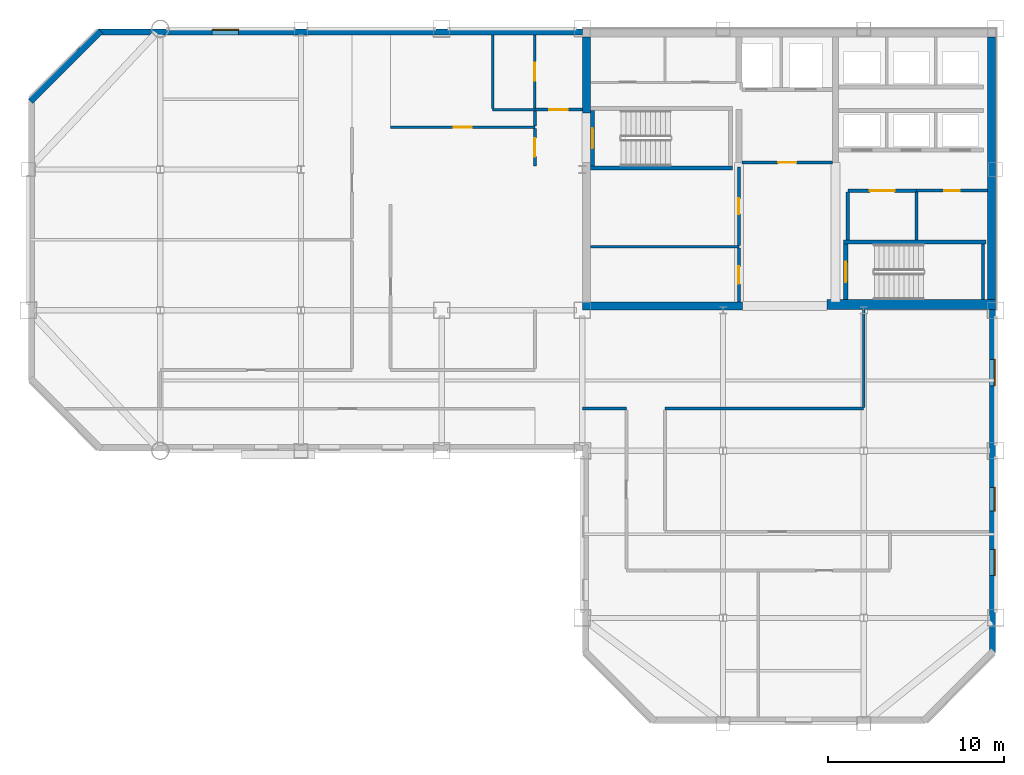
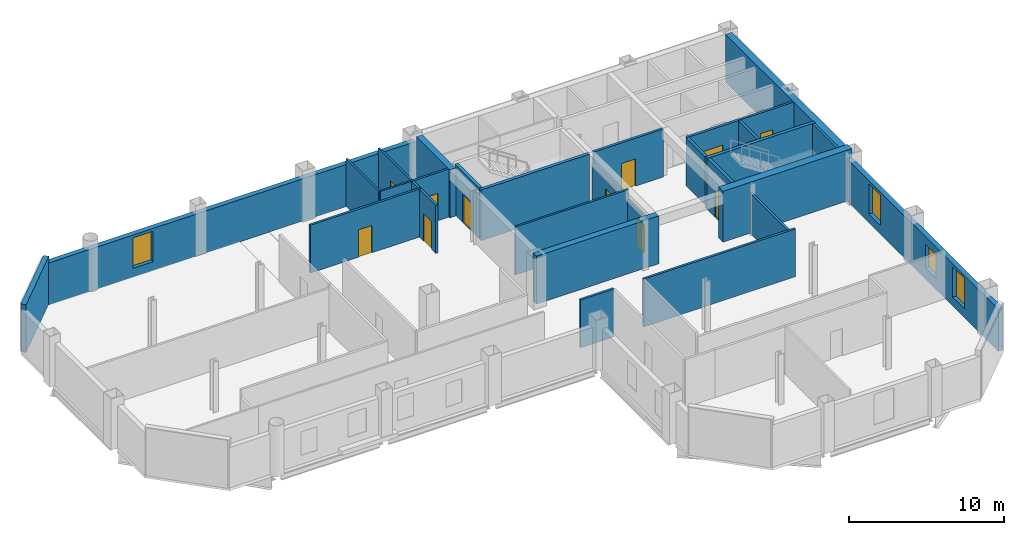
# One storey, part 5 of 10: 30 walls, 11 doors, 4 windows, 15 openings.
"""IFC4 building model written with IfcOpenShell, lengths in metres."""

import ifcopenshell
import ifcopenshell.guid

model = None  # the IFC model being written
_history = None  # IfcOwnerHistory: only IFC2X3 demands one
_inside = {}  # id of a spatial element -> (the spatial element, [elements in it])
_under = {}  # id of a project, library or spatial element -> (it, [spatial elements below it])
_declared = {}  # id of a project -> (the project, [libraries it declares])
_typed = {}  # id of a type object -> (the type object, [elements of that type])
_made_of = {}  # id of a material, layer set ... -> (it, [elements and type objects made of it])


def new_model(schema):
    """Start an empty IFC model of exactly this schema.

    Asked for "IFC4X3", IfcOpenShell would pick the latest addendum, in which some entities
    have other attributes; the version numbers below select the first issue.
    IFC2X3 requires an IfcOwnerHistory on every rooted entity: one is made here for all.
    """
    global model, _history
    if schema == "IFC4X3":
        model = ifcopenshell.file(schema_version=(4, 3, 0, 0))
    else:
        model = ifcopenshell.file(schema=schema)
    _inside.clear()
    _under.clear()
    _declared.clear()
    _typed.clear()
    _made_of.clear()
    _history = None
    if model.schema == "IFC2X3":
        org = make("IfcOrganization", Name="unknown")
        user = make(
            "IfcPersonAndOrganization",
            ThePerson=make("IfcPerson", FamilyName="unknown"),
            TheOrganization=org,
        )
        app = make(
            "IfcApplication",
            ApplicationDeveloper=org,
            Version="unknown",
            ApplicationFullName="unknown",
            ApplicationIdentifier="unknown",
        )
        _history = make(
            "IfcOwnerHistory",
            OwningUser=user,
            OwningApplication=app,
            ChangeAction="ADDED",
            CreationDate=0,
        )
    return model


def make(cls, **values):
    """One entity of the class cls with the attributes given. An attribute that is None is left unset."""
    return model.create_entity(
        cls, **{name: value for name, value in values.items() if value is not None}
    )


def rooted(cls, **values):
    """An entity with a GlobalId (a new one), such as an element, a storey or a relation."""
    return make(cls, GlobalId=ifcopenshell.guid.new(), OwnerHistory=_history, **values)


def si_unit(unit_type, name, prefix=None):
    """IfcSIUnit, for example si_unit("LENGTHUNIT", "METRE", prefix="MILLI")."""
    return make("IfcSIUnit", UnitType=unit_type, Prefix=prefix, Name=name)


def assignment(units):
    """IfcUnitAssignment: the units of a project."""
    return None if units is None else make("IfcUnitAssignment", Units=units)


def point(xyz):
    """IfcCartesianPoint."""
    return None if xyz is None else make("IfcCartesianPoint", Coordinates=xyz)


def direction(xyz):
    """IfcDirection."""
    return None if xyz is None else make("IfcDirection", DirectionRatios=xyz)


def frame(location, z_axis=None, x_axis=None):
    """IfcAxis2Placement3D, a coordinate frame: its origin and axes. An axis left out is left unset."""
    return make(
        "IfcAxis2Placement3D",
        Location=point(location),
        Axis=direction(z_axis),
        RefDirection=direction(x_axis),
    )


def frame_2d(location, x_axis=None):
    """IfcAxis2Placement2D, a coordinate frame in the plane: its origin and x axis."""
    return make(
        "IfcAxis2Placement2D", Location=point(location), RefDirection=direction(x_axis)
    )


def origin():
    """The frame at (0, 0, 0) with its axes left unset."""
    return frame((0.0, 0.0, 0.0))


def place(relative_to, where):
    """IfcLocalPlacement: puts the frame where relative to a parent placement (None: the world)."""
    return make(
        "IfcLocalPlacement", PlacementRelTo=relative_to, RelativePlacement=where
    )


def context(
    kind, dimensions, precision=None, world=None, true_north=None, identifier=None
):
    """IfcGeometricRepresentationContext, for example the 3D "Model" context."""
    return make(
        "IfcGeometricRepresentationContext",
        ContextIdentifier=identifier,
        ContextType=kind,
        CoordinateSpaceDimension=dimensions,
        Precision=precision,
        WorldCoordinateSystem=world,
        TrueNorth=true_north,
    )


def subcontext(parent, identifier, kind, view, scale=None):
    """IfcGeometricRepresentationSubContext, for example "Body" below "Model"."""
    return make(
        "IfcGeometricRepresentationSubContext",
        ContextIdentifier=identifier,
        ContextType=kind,
        ParentContext=parent,
        TargetScale=scale,
        TargetView=view,
    )


def project(units=None, contexts=None):
    """IfcProject with its units and contexts."""
    return rooted(
        "IfcProject",
        Name="project",
        RepresentationContexts=contexts,
        UnitsInContext=assignment(units),
    )


def spatial(cls, under=None, at=None, **own):
    """A site, building, storey or space (cls), placed at a placement, below another one or the project."""
    s = rooted(cls, ObjectPlacement=at, **own)
    if under is not None:
        _under.setdefault(under.id(), (under, []))[1].append(s)
    return s


def profile(cls, at=None, kind="AREA", **sizes):
    """A parametric profile (cls). Its sizes go by their IFC names, for example OverallWidth=200.0."""
    return make(cls, ProfileType=kind, Position=at, **sizes)


def rectangle(**sizes):
    """IfcRectangleProfileDef."""
    return profile("IfcRectangleProfileDef", **sizes)


def extrude(swept, where, along, depth):
    """IfcExtrudedAreaSolid: the profile swept, set in the frame where, extruded along a direction by depth."""
    return make(
        "IfcExtrudedAreaSolid",
        SweptArea=swept,
        Position=where,
        ExtrudedDirection=direction(along),
        Depth=depth,
    )


def shape(context_of_items, identifier, shape_type, items):
    """IfcShapeRepresentation: the items that make up one representation, for example the "Body"."""
    return make(
        "IfcShapeRepresentation",
        ContextOfItems=context_of_items,
        RepresentationIdentifier=identifier,
        RepresentationType=shape_type,
        Items=items,
    )


def material(Name=None, Category=None):
    """IfcMaterial."""
    return make("IfcMaterial", Name=Name, Category=Category)


def layer(
    of_material, thickness, ventilated=None, Name=None, Category=None, Priority=None
):
    """IfcMaterialLayer: one layer of a wall or slab, of a material (None: an air gap)."""
    return make(
        "IfcMaterialLayer",
        Material=of_material,
        LayerThickness=thickness,
        IsVentilated=ventilated,
        Name=Name,
        Category=Category,
        Priority=Priority,
    )


def layer_set(layers, Name=None):
    """IfcMaterialLayerSet."""
    return make("IfcMaterialLayerSet", MaterialLayers=layers, LayerSetName=Name)


def made_of(thing, what):
    """Note that an element or type object is made of a material, layer set ...; save() writes the relation."""
    if what is not None:
        _made_of.setdefault(what.id(), (what, []))[1].append(thing)
    return thing


def type_object(cls, material=None, **own):
    """A type object (cls), such as IfcWallType, which elements share."""
    return made_of(rooted(cls, **own), material)


def element(
    cls,
    number,
    at=None,
    inside=None,
    cuts=None,
    type_object=None,
    material=None,
    context=None,
    identifier="Body",
    shape_type=None,
    held_by="IfcProductDefinitionShape",
    body=None,
    shapes=None,
    **own,
):
    """One element of the class cls, such as IfcWall. Its Tag is "e" and its number.

    at: its placement. inside: the storey or other place that contains it. cuts: it is an
    opening in that element (IfcRelVoidsElement). A single representation is given by context,
    identifier, shape_type and body (its items); several are given by shapes. held_by: the class
    of the entity that holds the representations. save() writes the other relations.
    """
    e = rooted(cls, Tag="e%d" % number, ObjectPlacement=at, **own)
    if body is not None:
        shapes = [shape(context, identifier, shape_type, body)]
    if shapes is not None:
        e.Representation = make(held_by, Representations=shapes)
    if inside is not None:
        _inside.setdefault(inside.id(), (inside, []))[1].append(e)
    if cuts is not None:
        rooted(
            "IfcRelVoidsElement", RelatingBuildingElement=cuts, RelatedOpeningElement=e
        )
    if type_object is not None:
        _typed.setdefault(type_object.id(), (type_object, []))[1].append(e)
    return made_of(e, material)


def fill(opening, filler):
    """IfcRelFillsElement: the door or window that sits in an opening."""
    return rooted(
        "IfcRelFillsElement",
        RelatingOpeningElement=opening,
        RelatedBuildingElement=filler,
    )


def aggregate(whole, parts):
    """IfcRelAggregates: a whole, such as a stair, and the parts it consists of."""
    return rooted("IfcRelAggregates", RelatingObject=whole, RelatedObjects=parts)


def save(model, path):
    """Write the relations noted so far, then the file.

    IfcRelAggregates (storeys below a building ...), IfcRelContainedInSpatialStructure (elements
    in a storey), IfcRelDefinesByType, IfcRelAssociatesMaterial and IfcRelDeclares: one each for
    every whole, place, type object, material and project.
    """
    for whole, parts in _under.values():
        aggregate(whole, parts)
    for where, things in _inside.values():
        rooted(
            "IfcRelContainedInSpatialStructure",
            RelatedElements=things,
            RelatingStructure=where,
        )
    for kind, things in _typed.values():
        rooted("IfcRelDefinesByType", RelatedObjects=things, RelatingType=kind)
    for what, things in _made_of.values():
        rooted("IfcRelAssociatesMaterial", RelatedObjects=things, RelatingMaterial=what)
    for by, libraries in _declared.values():
        rooted("IfcRelDeclares", RelatingContext=by, RelatedDefinitions=libraries)
    model.write(path)


model = new_model("IFC4")

# Units and contexts
model_context = context("Model", 3, precision=1e-05, world=origin(), true_north=direction((0.0, 1.0)))
body_context = subcontext(model_context, "Body", "Model", "MODEL_VIEW")
ifc_project = project(units=[si_unit("LENGTHUNIT", "METRE"), si_unit("AREAUNIT", "SQUARE_METRE"), si_unit("VOLUMEUNIT", "CUBIC_METRE"), si_unit("PLANEANGLEUNIT", "RADIAN"), si_unit("MASSUNIT", "GRAM", prefix="KILO")], contexts=[model_context])

# Site, building, storey
site_placement = place(None, origin())
site = spatial("IfcSite", under=ifc_project, at=site_placement, CompositionType="ELEMENT")
building_placement = place(site_placement, origin())
building = spatial("IfcBuilding", under=site, at=building_placement, Name="Qianrong Seaharbour Tower", CompositionType="ELEMENT")
storey_placement = place(building_placement, frame((0.0, 0.0, 233.800048828125)))
storey = spatial("IfcBuildingStorey", under=building, at=storey_placement, Name="L56", CompositionType="ELEMENT", Elevation=233.800048828125)

# Walls
ifc_material_1 = material(Name="Concrete C60/75", Category="concrete")
ifc_layer_1 = layer(ifc_material_1, 0.4599609375)
ifc_layer_set_1 = layer_set([ifc_layer_1], Name="Concrete C60/75")
wall_type_1 = type_object("IfcWallType", Name="WALL-CORE-460", PredefinedType="SHEAR", material=ifc_layer_set_1)
wall_1_placement = place(storey_placement, frame((63.77001953125, 36.320068359375, 0.0), z_axis=(0.0, 0.0, 1.0), x_axis=(0.0, 1.0, 0.0)))
element("IfcWall", 1, at=wall_1_placement, inside=storey, type_object=wall_type_1, Name="L56 East Core Shear Wall", PredefinedType="SHEAR", context=body_context, shape_type="SweptSolid", body=[
    extrude(rectangle(XDim=15.219970703125, YDim=0.4599609375, at=frame_2d((7.60986328125, 0.0))), origin(), (0.0, 0.0, 1.0), 3.77490234375),
])
wall_2_placement = place(storey_placement, frame((40.72998046875, 47.199951171875, 0.0), z_axis=(0.0, 0.0, 1.0), x_axis=(0.0, 1.0, 0.0)))
element("IfcWall", 2, at=wall_2_placement, inside=storey, type_object=wall_type_1, Name="L56 West Core Shear Wall North", PredefinedType="SHEAR", context=body_context, shape_type="SweptSolid", body=[
    extrude(rectangle(XDim=4.340087890625, YDim=0.4599609375, at=frame_2d((2.169921875, 0.0))), origin(), (0.0, 0.0, 1.0), 3.77490234375),
])
wall_3_placement = place(storey_placement, frame((40.5, 36.22998046875, 0.0), z_axis=(0.0, 0.0, 1.0), x_axis=(1.0, 0.0, 0.0)))
element("IfcWall", 3, at=wall_3_placement, inside=storey, type_object=wall_type_1, Name="L56 South Core Shear Wall S1", PredefinedType="SHEAR", context=body_context, shape_type="SweptSolid", body=[
    extrude(rectangle(XDim=9.10009765625, YDim=0.4599609375, at=frame_2d((4.550048828125, 0.0))), origin(), (0.0, 0.0, 1.0), 3.77490234375),
])
ifc_material_2 = material(Name="Concrete C70/85", Category="concrete")
ifc_layer_2 = layer(ifc_material_2, 0.580078125)
ifc_layer_set_2 = layer_set([ifc_layer_2], Name="Concrete C70/85")
wall_type_2 = type_object("IfcWallType", Name="WALL-CORE-580", PredefinedType="SHEAR", material=ifc_layer_set_2)
wall_4_placement = place(storey_placement, frame((54.39990234375, 36.320068359375, 0.0), z_axis=(0.0, 0.0, 1.0), x_axis=(1.0, 0.0, 0.0)))
element("IfcWall", 4, at=wall_4_placement, inside=storey, type_object=wall_type_2, Name="L56 South Core Shear Wall S3", PredefinedType="SHEAR", context=body_context, shape_type="SweptSolid", body=[
    extrude(rectangle(XDim=9.60009765625, YDim=0.580078125, at=frame_2d((4.800048828125, 0.0))), origin(), (0.0, 0.0, 1.0), 4.0),
])

# Wall, opening, door
ifc_material_3 = material(Name="Fire-rated acoustic gypsum board partition")
ifc_layer_3 = layer(ifc_material_3, 0.1650390625)
ifc_layer_set_3 = layer_set([ifc_layer_3], Name="Fire-rated acoustic gypsum board partition")
wall_type_3 = type_object("IfcWallType", Name="WALL-CORR-PART-165", PredefinedType="PARTITIONING", material=ifc_layer_set_3)
wall_5_placement = place(storey_placement, frame((37.800048828125, 47.39990234375, 0.0), z_axis=(0.0, 0.0, 1.0), x_axis=(1.0, 0.0, 0.0)))
wall_5 = element("IfcWall", 5, at=wall_5_placement, inside=storey, type_object=wall_type_3, Name="L56 Interior Partition Wall 001", PredefinedType="PARTITIONING", context=body_context, shape_type="SweptSolid", body=[
    extrude(rectangle(XDim=2.699951171875, YDim=0.1650390625, at=frame_2d((1.35009765625, 0.0))), origin(), (0.0, 0.0, 1.0), 3.77490234375),
])
opening_1_placement = place(wall_5_placement, frame((0.824951171875, 0.0, 0.0)))
opening_1 = element("IfcOpeningElement", 6, at=opening_1_placement, cuts=wall_5, Name="Opening DC-01", PredefinedType="OPENING", context=body_context, shape_type="SweptSolid", body=[
    extrude(rectangle(XDim=1.050048828125, YDim=2.14990234375, at=frame_2d((0.52490234375, 1.074951171875))), frame((0.0, 0.092529296875, 0.0), z_axis=(0.0, -1.0, 0.0), x_axis=(1.0, 0.0, 0.0)), (0.0, 0.0, 1.0), 0.18505859375),
])
ifc_material_4 = material(Name="Acoustic timber and galvanized steel fire door assembly", Category="steel")
door_type_1 = type_object("IfcDoorType", Name="DOOR-CORR-FD60-1050x2150", OperationType="NOTDEFINED", PredefinedType="DOOR", material=ifc_material_4)
door_1_placement = place(opening_1_placement, origin())
door_1 = element("IfcDoor", 7, at=door_1_placement, inside=storey, type_object=door_type_1, Name="L56 Smokeproof Stair Vestibule ST-1 Door", OperationType="SINGLE_SWING_RIGHT", OverallHeight=2.14990234375, OverallWidth=1.050048828125, PredefinedType="DOOR", context=body_context, shape_type="SweptSolid", body=[
    extrude(rectangle(XDim=1.050048828125, YDim=2.14990234375, at=frame_2d((0.52490234375, 1.074951171875))), frame((0.0, 0.02490234375, 0.0), z_axis=(0.0, -1.0, 0.0), x_axis=(1.0, 0.0, 0.0)), (0.0, 0.0, 1.0), 0.050048828125),
])
fill(opening_1, door_1)

wall_6_placement = place(storey_placement, frame((37.800048828125, 44.199951171875, 0.0), z_axis=(0.0, 0.0, 1.0), x_axis=(0.0, 1.0, 0.0)))
wall_6 = element("IfcWall", 8, at=wall_6_placement, inside=storey, type_object=wall_type_3, Name="L56 Interior Partition Wall 002", PredefinedType="PARTITIONING", context=body_context, shape_type="SweptSolid", body=[
    extrude(rectangle(XDim=2.12548828125, YDim=0.1650390625, at=frame_2d((1.062744140625, 0.0))), origin(), (0.0, 0.0, 1.0), 3.77490234375),
])
opening_2_placement = place(wall_6_placement, frame((0.537841796875, 0.0, 0.0)))
opening_2 = element("IfcOpeningElement", 9, at=opening_2_placement, cuts=wall_6, Name="Opening DC-01", PredefinedType="OPENING", context=body_context, shape_type="SweptSolid", body=[
    extrude(rectangle(XDim=1.050048828125, YDim=2.14990234375, at=frame_2d((0.52490234375, 1.074951171875))), frame((0.0, 0.092529296875, 0.0), z_axis=(0.0, -1.0, 0.0), x_axis=(1.0, 0.0, 0.0)), (0.0, 0.0, 1.0), 0.18505859375),
])
door_2_placement = place(opening_2_placement, origin())
door_2 = element("IfcDoor", 10, at=door_2_placement, inside=storey, type_object=door_type_1, Name="L56 Smokeproof Stair Vestibule ST-1 Door", OperationType="SINGLE_SWING_LEFT", OverallHeight=2.14990234375, OverallWidth=1.050048828125, PredefinedType="DOOR", context=body_context, shape_type="SweptSolid", body=[
    extrude(rectangle(XDim=1.050048828125, YDim=2.14990234375, at=frame_2d((0.52490234375, 1.074951171875))), frame((0.0, 0.02490234375, 0.0), z_axis=(0.0, -1.0, 0.0), x_axis=(1.0, 0.0, 0.0)), (0.0, 0.0, 1.0), 0.050048828125),
])
fill(opening_2, door_2)

# Wall
wall_7_placement = place(storey_placement, frame((37.800048828125, 46.474609375, 0.0), z_axis=(0.0, 0.0, 1.0), x_axis=(0.0, 1.0, 0.0)))
element("IfcWall", 11, at=wall_7_placement, inside=storey, type_object=wall_type_3, Name="L56 Interior Partition Wall 003", PredefinedType="PARTITIONING", context=body_context, shape_type="SweptSolid", body=[
    extrude(rectangle(XDim=0.850830078125, YDim=0.1650390625, at=frame_2d((0.42529296875, 0.0))), origin(), (0.0, 0.0, 1.0), 3.77490234375),
])

# Wall, opening, door
wall_8_placement = place(storey_placement, frame((49.39990234375, 36.4599609375, 0.0), z_axis=(0.0, 0.0, 1.0), x_axis=(0.0, 1.0, 0.0)))
wall_8 = element("IfcWall", 12, at=wall_8_placement, inside=storey, type_object=wall_type_3, Name="L56 Interior Partition Wall 010", PredefinedType="PARTITIONING", context=body_context, shape_type="SweptSolid", body=[
    extrude(rectangle(XDim=3.075439453125, YDim=0.1650390625, at=frame_2d((1.53759765625, 0.0))), origin(), (0.0, 0.0, 1.0), 3.016845703125),
])
opening_3_placement = place(wall_8_placement, frame((1.03759765625, 0.0, 0.0)))
opening_3 = element("IfcOpeningElement", 13, at=opening_3_placement, cuts=wall_8, Name="Opening DO-01", PredefinedType="OPENING", context=body_context, shape_type="SweptSolid", body=[
    extrude(rectangle(XDim=1.0, YDim=2.14990234375, at=frame_2d((0.5, 1.074951171875))), frame((0.0, 0.092529296875, 0.0), z_axis=(0.0, -1.0, 0.0), x_axis=(1.0, 0.0, 0.0)), (0.0, 0.0, 1.0), 0.18505859375),
])
door_type_2 = type_object("IfcDoorType", Name="DOOR-OFFICE-1000x2150", OperationType="NOTDEFINED", PredefinedType="DOOR", material=ifc_material_4)
door_3_placement = place(opening_3_placement, origin())
door_3 = element("IfcDoor", 14, at=door_3_placement, inside=storey, type_object=door_type_2, Name="L56 Wellness Room Door", OperationType="SINGLE_SWING_RIGHT", OverallHeight=2.14990234375, OverallWidth=1.0, PredefinedType="DOOR", context=body_context, shape_type="SweptSolid", body=[
    extrude(rectangle(XDim=1.0, YDim=2.14990234375, at=frame_2d((0.5, 1.074951171875))), frame((0.0, 0.02490234375, 0.0), z_axis=(0.0, -1.0, 0.0), x_axis=(1.0, 0.0, 0.0)), (0.0, 0.0, 1.0), 0.050048828125),
])
fill(opening_3, door_3)

wall_9_placement = place(storey_placement, frame((49.39990234375, 39.66455078125, 0.0), z_axis=(0.0, 0.0, 1.0), x_axis=(0.0, 1.0, 0.0)))
wall_9 = element("IfcWall", 15, at=wall_9_placement, inside=storey, type_object=wall_type_3, Name="L56 Interior Partition Wall 011", PredefinedType="PARTITIONING", context=body_context, shape_type="SweptSolid", body=[
    extrude(rectangle(XDim=4.4853515625, YDim=0.1650390625, at=frame_2d((2.24267578125, 0.0))), origin(), (0.0, 0.0, 1.0), 3.016845703125),
])
opening_4_placement = place(wall_9_placement, frame((1.792724609375, 0.0, 0.0)))
opening_4 = element("IfcOpeningElement", 16, at=opening_4_placement, cuts=wall_9, Name="Opening DS-01", PredefinedType="OPENING", context=body_context, shape_type="SweptSolid", body=[
    extrude(rectangle(XDim=0.89990234375, YDim=2.14990234375, at=frame_2d((0.449951171875, 1.074951171875))), frame((0.0, 0.092529296875, 0.0), z_axis=(0.0, -1.0, 0.0), x_axis=(1.0, 0.0, 0.0)), (0.0, 0.0, 1.0), 0.18505859375),
])
door_type_3 = type_object("IfcDoorType", Name="DOOR-STORE-900x2150", OperationType="NOTDEFINED", PredefinedType="DOOR", material=ifc_material_4)
door_4_placement = place(opening_4_placement, origin())
door_4 = element("IfcDoor", 17, at=door_4_placement, inside=storey, type_object=door_type_3, Name="L56 Equipment Store Room Door", OperationType="SINGLE_SWING_LEFT", OverallHeight=2.14990234375, OverallWidth=0.89990234375, PredefinedType="DOOR", context=body_context, shape_type="SweptSolid", body=[
    extrude(rectangle(XDim=0.89990234375, YDim=2.14990234375, at=frame_2d((0.449951171875, 1.074951171875))), frame((0.0, 0.02490234375, 0.0), z_axis=(0.0, -1.0, 0.0), x_axis=(1.0, 0.0, 0.0)), (0.0, 0.0, 1.0), 0.050048828125),
])
fill(opening_4, door_4)

wall_10_placement = place(storey_placement, frame((63.5400390625, 42.800048828125, 0.0), z_axis=(0.0, 0.0, 1.0), x_axis=(-1.0, 0.0, 0.0)))
wall_10 = element("IfcWall", 18, at=wall_10_placement, inside=storey, type_object=wall_type_3, Name="L56 Interior Partition Wall 015", PredefinedType="PARTITIONING", context=body_context, shape_type="SweptSolid", body=[
    extrude(rectangle(XDim=4.0400390625, YDim=0.1650390625, at=frame_2d((2.02001953125, 0.0))), origin(), (0.0, 0.0, 1.0), 3.77490234375),
])
opening_5_placement = place(wall_10_placement, frame((1.570068359375, 0.0, 0.0)))
opening_5 = element("IfcOpeningElement", 19, at=opening_5_placement, cuts=wall_10, Name="Opening DS-01", PredefinedType="OPENING", context=body_context, shape_type="SweptSolid", body=[
    extrude(rectangle(XDim=0.89990234375, YDim=2.14990234375, at=frame_2d((0.449951171875, 1.074951171875))), frame((0.0, 0.092529296875, 0.0), z_axis=(0.0, -1.0, 0.0), x_axis=(1.0, 0.0, 0.0)), (0.0, 0.0, 1.0), 0.18505859375),
])
door_5_placement = place(opening_5_placement, origin())
door_5 = element("IfcDoor", 20, at=door_5_placement, inside=storey, type_object=door_type_3, Name="L56 Cleaner Store Room Door", OperationType="SINGLE_SWING_RIGHT", OverallHeight=2.14990234375, OverallWidth=0.89990234375, PredefinedType="DOOR", context=body_context, shape_type="SweptSolid", body=[
    extrude(rectangle(XDim=0.89990234375, YDim=2.14990234375, at=frame_2d((0.449951171875, 1.074951171875))), frame((0.0, 0.02490234375, 0.0), z_axis=(0.0, -1.0, 0.0), x_axis=(1.0, 0.0, 0.0)), (0.0, 0.0, 1.0), 0.050048828125),
])
fill(opening_5, door_5)

wall_11_placement = place(storey_placement, frame((29.60009765625, 46.39990234375, 0.0), z_axis=(0.0, 0.0, 1.0), x_axis=(1.0, 0.0, 0.0)))
wall_11 = element("IfcWall", 21, at=wall_11_placement, inside=storey, type_object=wall_type_3, Name="L56 Interior Partition Wall 025", PredefinedType="PARTITIONING", context=body_context, shape_type="SweptSolid", body=[
    extrude(rectangle(XDim=8.199951171875, YDim=0.1650390625, at=frame_2d((4.10009765625, 0.0))), origin(), (0.0, 0.0, 1.0), 3.77490234375),
])
opening_6_placement = place(wall_11_placement, frame((3.60009765625, 0.0, 0.0)))
opening_6 = element("IfcOpeningElement", 22, at=opening_6_placement, cuts=wall_11, Name="Opening DO-01", PredefinedType="OPENING", context=body_context, shape_type="SweptSolid", body=[
    extrude(rectangle(XDim=1.0, YDim=2.14990234375, at=frame_2d((0.5, 1.074951171875))), frame((0.0, 0.092529296875, 0.0), z_axis=(0.0, -1.0, 0.0), x_axis=(1.0, 0.0, 0.0)), (0.0, 0.0, 1.0), 0.18505859375),
])
door_6_placement = place(opening_6_placement, origin())
door_6 = element("IfcDoor", 23, at=door_6_placement, inside=storey, type_object=door_type_2, Name="L56 Digital Media Hall 2 Door", OperationType="SINGLE_SWING_RIGHT", OverallHeight=2.14990234375, OverallWidth=1.0, PredefinedType="DOOR", context=body_context, shape_type="SweptSolid", body=[
    extrude(rectangle(XDim=1.0, YDim=2.14990234375, at=frame_2d((0.5, 1.074951171875))), frame((0.0, 0.02490234375, 0.0), z_axis=(0.0, -1.0, 0.0), x_axis=(1.0, 0.0, 0.0)), (0.0, 0.0, 1.0), 0.050048828125),
])
fill(opening_6, door_6)

# Walls
wall_12_placement = place(storey_placement, frame((56.5, 36.0, 0.0), z_axis=(0.0, 0.0, 1.0), x_axis=(0.0, -1.0, 0.0)))
element("IfcWall", 24, at=wall_12_placement, inside=storey, type_object=wall_type_3, Name="L56 Interior Partition Wall 027", PredefinedType="PARTITIONING", context=body_context, shape_type="SweptSolid", body=[
    extrude(rectangle(XDim=5.525390625, YDim=0.1650390625, at=frame_2d((2.7626953125, 0.0))), origin(), (0.0, 0.0, 1.0), 3.178955078125),
])
wall_13_placement = place(storey_placement, frame((56.5, 30.39990234375, 0.0), z_axis=(0.0, 0.0, 1.0), x_axis=(-1.0, 0.0, 0.0)))
element("IfcWall", 25, at=wall_13_placement, inside=storey, type_object=wall_type_3, Name="L56 Interior Partition Wall 028", PredefinedType="PARTITIONING", context=body_context, shape_type="SweptSolid", body=[
    extrude(rectangle(XDim=11.300048828125, YDim=0.1650390625, at=frame_2d((5.64990234375, 0.0))), origin(), (0.0, 0.0, 1.0), 3.77490234375),
])
wall_14_placement = place(storey_placement, frame((43.0, 30.39990234375, 0.0), z_axis=(0.0, 0.0, 1.0), x_axis=(-1.0, 0.0, 0.0)))
element("IfcWall", 26, at=wall_14_placement, inside=storey, type_object=wall_type_3, Name="L56 Interior Partition Wall 029", PredefinedType="PARTITIONING", context=body_context, shape_type="SweptSolid", body=[
    extrude(rectangle(XDim=2.5, YDim=0.1650390625, at=frame_2d((1.25, 0.0))), origin(), (0.0, 0.0, 1.0), 3.77490234375),
])
ifc_material_5 = material(Name="Unitised red brick on Precast concrete C45/55", Category="masonry")
ifc_layer_4 = layer(ifc_material_5, 0.360107421875)
ifc_layer_set_4 = layer_set([ifc_layer_4], Name="Unitised red brick on Precast concrete C45/55")
wall_type_4 = type_object("IfcWallType", Name="WALL-EXT-BRICK-RED-360", PredefinedType="SOLIDWALL", material=ifc_layer_set_4)
wall_15_placement = place(storey_placement, frame((9.127197265625, 47.872802734375, 0.0), z_axis=(0.0, 0.0, 1.0), x_axis=(0.707106781187, 0.707106781187, 0.0)))
element("IfcWall", 27, at=wall_15_placement, inside=storey, type_object=wall_type_4, Name="L56 Exterior Masonry Facade Wall E04", PredefinedType="SOLIDWALL", context=body_context, shape_type="SweptSolid", body=[
    extrude(rectangle(XDim=5.65673828125, YDim=0.360107421875, at=frame_2d((2.828369140625, 0.0))), origin(), (0.0, 0.0, 1.0), 3.77490234375),
])

# Wall, opening, window
wall_16_placement = place(storey_placement, frame((13.0, 51.820068359375, 0.0), z_axis=(0.0, 0.0, 1.0), x_axis=(1.0, 0.0, 0.0)))
wall_16 = element("IfcWall", 28, at=wall_16_placement, inside=storey, type_object=wall_type_4, Name="L56 Exterior Masonry Facade Wall NORTH_WING", PredefinedType="SOLIDWALL", context=body_context, shape_type="SweptSolid", body=[
    extrude(rectangle(XDim=27.52001953125, YDim=0.360107421875, at=frame_2d((13.760009765625, 0.0))), origin(), (0.0, 0.0, 1.0), 3.324951171875),
])
opening_7_placement = place(wall_16_placement, frame((6.449951171875, 0.0, 0.699951171875)))
opening_7 = element("IfcOpeningElement", 29, at=opening_7_placement, cuts=wall_16, Name="Opening WN-08", PredefinedType="OPENING", context=body_context, shape_type="SweptSolid", body=[
    extrude(rectangle(XDim=1.5, YDim=2.39990234375, at=frame_2d((0.75, 1.199951171875))), frame((0.0, 0.18994140625, 0.0), z_axis=(0.0, -1.0, 0.0), x_axis=(1.0, 0.0, 0.0)), (0.0, 0.0, 1.0), 0.380126953125),
])
ifc_material_6 = material(Name="Insulated low-e double glazing in thermally broken aluminium 6063-T6 frame", Category="aluminium")
window_type_1 = type_object("IfcWindowType", Name="WIN-PUNCH-1500x2400", PartitioningType="DOUBLE_PANEL_HORIZONTAL", PredefinedType="WINDOW", material=ifc_material_6)
window_1_placement = place(opening_7_placement, origin())
window_1 = element("IfcWindow", 30, at=window_1_placement, inside=storey, type_object=window_type_1, Name="L56 Deep-Set Punched Window 05.02", OverallHeight=2.39990234375, OverallWidth=1.5, PartitioningType="DOUBLE_PANEL_HORIZONTAL", PredefinedType="WINDOW", context=body_context, shape_type="SweptSolid", body=[
    extrude(rectangle(XDim=1.5, YDim=2.39990234375, at=frame_2d((0.75, 1.199951171875))), frame((0.0, 0.150146484375, 0.0), z_axis=(0.0, -1.0, 0.0), x_axis=(1.0, 0.0, 0.0)), (0.0, 0.0, 1.0), 0.06005859375),
])
fill(opening_7, window_1)

# Wall, openings, windows
wall_17_placement = place(storey_placement, frame((63.820068359375, 36.050048828125, 0.0), z_axis=(0.0, 0.0, 1.0), x_axis=(0.0, -1.0, 0.0)))
wall_17 = element("IfcWall", 31, at=wall_17_placement, inside=storey, type_object=wall_type_4, Name="L56 Exterior Masonry Facade Wall EAST_WING", PredefinedType="SOLIDWALL", context=body_context, shape_type="SweptSolid", body=[
    extrude(rectangle(XDim=19.550048828125, YDim=0.360107421875, at=frame_2d((9.77490234375, 0.0))), origin(), (0.0, 0.0, 1.0), 3.324951171875),
])
opening_8_placement = place(wall_17_placement, frame((2.85009765625, 0.0, 0.699951171875)))
opening_8 = element("IfcOpeningElement", 32, at=opening_8_placement, cuts=wall_17, Name="Opening WN-08", PredefinedType="OPENING", context=body_context, shape_type="SweptSolid", body=[
    extrude(rectangle(XDim=1.5, YDim=2.39990234375, at=frame_2d((0.75, 1.199951171875))), frame((0.0, 0.18994140625, 0.0), z_axis=(0.0, -1.0, 0.0), x_axis=(1.0, 0.0, 0.0)), (0.0, 0.0, 1.0), 0.380126953125),
])
opening_9_placement = place(wall_17_placement, frame((10.125, 0.0, 0.89990234375)))
opening_9 = element("IfcOpeningElement", 33, at=opening_9_placement, cuts=wall_17, Name="Opening WN-02", PredefinedType="OPENING", context=body_context, shape_type="SweptSolid", body=[
    extrude(rectangle(XDim=1.35009765625, YDim=1.85009765625, at=frame_2d((0.675048828125, 0.925048828125))), frame((0.0, 0.18994140625, 0.0), z_axis=(0.0, -1.0, 0.0), x_axis=(1.0, 0.0, 0.0)), (0.0, 0.0, 1.0), 0.380126953125),
])
opening_10_placement = place(wall_17_placement, frame((13.64990234375, 0.0, 0.699951171875)))
opening_10 = element("IfcOpeningElement", 34, at=opening_10_placement, cuts=wall_17, Name="Opening WN-08", PredefinedType="OPENING", context=body_context, shape_type="SweptSolid", body=[
    extrude(rectangle(XDim=1.5, YDim=2.39990234375, at=frame_2d((0.75, 1.199951171875))), frame((0.0, 0.18994140625, 0.0), z_axis=(0.0, -1.0, 0.0), x_axis=(1.0, 0.0, 0.0)), (0.0, 0.0, 1.0), 0.380126953125),
])
window_type_2 = type_object("IfcWindowType", Name="WIN-PUNCH-1350x1850", PartitioningType="DOUBLE_PANEL_VERTICAL", PredefinedType="WINDOW", material=ifc_material_6)
window_2_placement = place(opening_9_placement, origin())
window_2 = element("IfcWindow", 35, at=window_2_placement, inside=storey, type_object=window_type_2, Name="L56 Deep-Set Punched Window 06.03", OverallHeight=1.85009765625, OverallWidth=1.35009765625, PartitioningType="DOUBLE_PANEL_VERTICAL", PredefinedType="WINDOW", context=body_context, shape_type="SweptSolid", body=[
    extrude(rectangle(XDim=1.35009765625, YDim=1.85009765625, at=frame_2d((0.675048828125, 0.925048828125))), frame((0.0, 0.150146484375, 0.0), z_axis=(0.0, -1.0, 0.0), x_axis=(1.0, 0.0, 0.0)), (0.0, 0.0, 1.0), 0.06005859375),
])
fill(opening_9, window_2)
window_3_placement = place(opening_8_placement, origin())
window_3 = element("IfcWindow", 36, at=window_3_placement, inside=storey, type_object=window_type_1, Name="L56 Deep-Set Punched Window 06.01", OverallHeight=2.39990234375, OverallWidth=1.5, PartitioningType="DOUBLE_PANEL_HORIZONTAL", PredefinedType="WINDOW", context=body_context, shape_type="SweptSolid", body=[
    extrude(rectangle(XDim=1.5, YDim=2.39990234375, at=frame_2d((0.75, 1.199951171875))), frame((0.0, 0.150146484375, 0.0), z_axis=(0.0, -1.0, 0.0), x_axis=(1.0, 0.0, 0.0)), (0.0, 0.0, 1.0), 0.06005859375),
])
fill(opening_8, window_3)
window_4_placement = place(opening_10_placement, origin())
window_4 = element("IfcWindow", 37, at=window_4_placement, inside=storey, type_object=window_type_1, Name="L56 Deep-Set Punched Window 06.04", OverallHeight=2.39990234375, OverallWidth=1.5, PartitioningType="DOUBLE_PANEL_HORIZONTAL", PredefinedType="WINDOW", context=body_context, shape_type="SweptSolid", body=[
    extrude(rectangle(XDim=1.5, YDim=2.39990234375, at=frame_2d((0.75, 1.199951171875))), frame((0.0, 0.150146484375, 0.0), z_axis=(0.0, -1.0, 0.0), x_axis=(1.0, 0.0, 0.0)), (0.0, 0.0, 1.0), 0.06005859375),
])
fill(opening_10, window_4)

# Wall, opening, door
ifc_material_7 = material(Name="Double fire-rated gypsum board acoustic partition")
ifc_layer_5 = layer(ifc_material_7, 0.18994140625)
ifc_layer_set_5 = layer_set([ifc_layer_5], Name="Double fire-rated gypsum board acoustic partition")
wall_type_5 = type_object("IfcWallType", Name="WALL-FIRE-PART-190", PredefinedType="PARTITIONING", material=ifc_layer_set_5)
wall_18_placement = place(storey_placement, frame((54.73291015625, 44.39990234375, 0.0), z_axis=(0.0, 0.0, 1.0), x_axis=(-1.0, 0.0, 0.0)))
wall_18 = element("IfcWall", 38, at=wall_18_placement, inside=storey, type_object=wall_type_5, Name="L56 Interior Partition Wall 009", PredefinedType="PARTITIONING", context=body_context, shape_type="SweptSolid", body=[
    extrude(rectangle(XDim=5.166015625, YDim=0.18994140625, at=frame_2d((2.5830078125, 0.0))), origin(), (0.0, 0.0, 1.0), 3.77490234375),
])
opening_11_placement = place(wall_18_placement, frame((2.05810546875, 0.0, 0.0)))
opening_11 = element("IfcOpeningElement", 39, at=opening_11_placement, cuts=wall_18, Name="Opening DC-01", PredefinedType="OPENING", context=body_context, shape_type="SweptSolid", body=[
    extrude(rectangle(XDim=1.050048828125, YDim=2.14990234375, at=frame_2d((0.52490234375, 1.074951171875))), frame((0.0, 0.10498046875, 0.0), z_axis=(0.0, -1.0, 0.0), x_axis=(1.0, 0.0, 0.0)), (0.0, 0.0, 1.0), 0.2099609375),
])
door_7_placement = place(opening_11_placement, origin())
door_7 = element("IfcDoor", 40, at=door_7_placement, inside=storey, type_object=door_type_1, Name="L56 Firefighting Lift Lobby Door", OperationType="SINGLE_SWING_LEFT", OverallHeight=2.14990234375, OverallWidth=1.050048828125, PredefinedType="DOOR", context=body_context, shape_type="SweptSolid", body=[
    extrude(rectangle(XDim=1.050048828125, YDim=2.14990234375, at=frame_2d((0.52490234375, 1.074951171875))), frame((0.0, 0.02490234375, 0.0), z_axis=(0.0, -1.0, 0.0), x_axis=(1.0, 0.0, 0.0)), (0.0, 0.0, 1.0), 0.050048828125),
])
fill(opening_11, door_7)

# Wall
wall_19_placement = place(storey_placement, frame((55.60009765625, 42.712890625, 0.0), z_axis=(0.0, 0.0, 1.0), x_axis=(0.0, -1.0, 0.0)))
element("IfcWall", 41, at=wall_19_placement, inside=storey, type_object=wall_type_5, Name="L56 Interior Partition Wall 012", PredefinedType="PARTITIONING", context=body_context, shape_type="SweptSolid", body=[
    extrude(rectangle(XDim=2.73095703125, YDim=0.18994140625, at=frame_2d((1.365478515625, 0.0))), origin(), (0.0, 0.0, 1.0), 3.77490234375),
])

# Wall, opening, door
wall_20_placement = place(storey_placement, frame((59.5, 42.800048828125, 0.0), z_axis=(0.0, 0.0, 1.0), x_axis=(-1.0, 0.0, 0.0)))
wall_20 = element("IfcWall", 42, at=wall_20_placement, inside=storey, type_object=wall_type_5, Name="L56 Interior Partition Wall 014", PredefinedType="PARTITIONING", context=body_context, shape_type="SweptSolid", body=[
    extrude(rectangle(XDim=3.89990234375, YDim=0.18994140625, at=frame_2d((1.949951171875, 0.0))), origin(), (0.0, 0.0, 1.0), 3.77490234375),
])
opening_12_placement = place(wall_20_placement, frame((1.25, 0.0, 0.0)))
opening_12 = element("IfcOpeningElement", 43, at=opening_12_placement, cuts=wall_20, Name="Opening DP-01", PredefinedType="OPENING", context=body_context, shape_type="SweptSolid", body=[
    extrude(rectangle(XDim=1.39990234375, YDim=2.25, at=frame_2d((0.699951171875, 1.125))), frame((0.0, 0.10498046875, 0.0), z_axis=(0.0, -1.0, 0.0), x_axis=(1.0, 0.0, 0.0)), (0.0, 0.0, 1.0), 0.2099609375),
])
door_type_4 = type_object("IfcDoorType", Name="DOOR-PLANT-PAIR-1400x2250", OperationType="DOUBLE_DOOR_SINGLE_SWING", PredefinedType="DOOR", material=ifc_material_4)
door_8_placement = place(opening_12_placement, origin())
door_8 = element("IfcDoor", 44, at=door_8_placement, inside=storey, type_object=door_type_4, Name="L56 Electrical Substation Door", OperationType="DOUBLE_DOOR_SINGLE_SWING", OverallHeight=2.25, OverallWidth=1.39990234375, PredefinedType="DOOR", context=body_context, shape_type="SweptSolid", body=[
    extrude(rectangle(XDim=1.39990234375, YDim=2.25, at=frame_2d((0.699951171875, 1.125))), frame((0.0, 0.02490234375, 0.0), z_axis=(0.0, -1.0, 0.0), x_axis=(1.0, 0.0, 0.0)), (0.0, 0.0, 1.0), 0.050048828125),
])
fill(opening_12, door_8)

# Walls
wall_21_placement = place(storey_placement, frame((59.5, 42.712890625, 0.0), z_axis=(0.0, 0.0, 1.0), x_axis=(0.0, -1.0, 0.0)))
element("IfcWall", 45, at=wall_21_placement, inside=storey, type_object=wall_type_5, Name="L56 Interior Partition Wall 017", PredefinedType="PARTITIONING", context=body_context, shape_type="SweptSolid", body=[
    extrude(rectangle(XDim=2.73095703125, YDim=0.18994140625, at=frame_2d((1.365478515625, 0.0))), origin(), (0.0, 0.0, 1.0), 3.77490234375),
])
ifc_material_8 = material(Name="Acoustic gypsum board stud partition")
ifc_layer_6 = layer(ifc_material_8, 0.14501953125)
ifc_layer_set_6 = layer_set([ifc_layer_6], Name="Acoustic gypsum board stud partition")
wall_type_6 = type_object("IfcWallType", Name="WALL-OFFICE-PART-145", PredefinedType="PARTITIONING", material=ifc_layer_set_6)
wall_22_placement = place(storey_placement, frame((40.9599609375, 39.60009765625, 0.0), z_axis=(0.0, 0.0, 1.0), x_axis=(1.0, 0.0, 0.0)))
element("IfcWall", 46, at=wall_22_placement, inside=storey, type_object=wall_type_6, Name="L56 Interior Partition Wall 013", PredefinedType="PARTITIONING", context=body_context, shape_type="SweptSolid", body=[
    extrude(rectangle(XDim=8.43994140625, YDim=0.14501953125, at=frame_2d((4.219970703125, 0.0))), origin(), (0.0, 0.0, 1.0), 3.77490234375),
])
ifc_material_9 = material(Name="Concrete C50/60", Category="concrete")
ifc_layer_7 = layer(ifc_material_9, 0.239990234375)
ifc_layer_set_7 = layer_set([ifc_layer_7], Name="Concrete C50/60")
wall_type_7 = type_object("IfcWallType", Name="WALL-SHAFT-RC240", PredefinedType="SOLIDWALL", material=ifc_layer_set_7)
wall_23_placement = place(storey_placement, frame((49.0400390625, 44.080078125, 0.0), z_axis=(0.0, 0.0, 1.0), x_axis=(-1.0, 0.0, 0.0)))
element("IfcWall", 47, at=wall_23_placement, inside=storey, type_object=wall_type_7, Name="L56 ST-1 Structural Stair Core Wall S", PredefinedType="SOLIDWALL", context=body_context, shape_type="SweptSolid", body=[
    extrude(rectangle(XDim=8.080078125, YDim=0.239990234375, at=frame_2d((4.0400390625, 0.0))), origin(), (0.0, 0.0, 1.0), 4.0),
])

# Wall, opening, door
wall_24_placement = place(storey_placement, frame((41.080078125, 47.35009765625, 0.0), z_axis=(0.0, 0.0, 1.0), x_axis=(0.0, -1.0, 0.0)))
wall_24 = element("IfcWall", 48, at=wall_24_placement, inside=storey, type_object=wall_type_7, Name="L56 ST-1 Structural Stair Core Wall W", PredefinedType="SOLIDWALL", context=body_context, shape_type="SweptSolid", body=[
    extrude(rectangle(XDim=3.150146484375, YDim=0.239990234375, at=frame_2d((1.5751953125, 0.0))), origin(), (0.0, 0.0, 1.0), 4.0),
])
opening_13_placement = place(wall_24_placement, frame((1.0, 0.0, 0.0)))
opening_13 = element("IfcOpeningElement", 49, at=opening_13_placement, cuts=wall_24, Name="Opening SD-01", PredefinedType="OPENING", context=body_context, shape_type="SweptSolid", body=[
    extrude(rectangle(XDim=1.14990234375, YDim=2.199951171875, at=frame_2d((0.574951171875, 1.10009765625))), frame((0.0, 0.1298828125, 0.0), z_axis=(0.0, -1.0, 0.0), x_axis=(1.0, 0.0, 0.0)), (0.0, 0.0, 1.0), 0.260009765625),
])
door_type_5 = type_object("IfcDoorType", Name="DOOR-STAIR-FD60-1150x2200", OperationType="NOTDEFINED", PredefinedType="DOOR", material=ifc_material_4)
door_9_placement = place(opening_13_placement, origin())
door_9 = element("IfcDoor", 50, at=door_9_placement, inside=storey, type_object=door_type_5, Name="L56 ST-1 Protected Stair Door", OperationType="SINGLE_SWING_LEFT", OverallHeight=2.199951171875, OverallWidth=1.14990234375, PredefinedType="DOOR", context=body_context, shape_type="SweptSolid", body=[
    extrude(rectangle(XDim=1.14990234375, YDim=2.199951171875, at=frame_2d((0.574951171875, 1.10009765625))), frame((0.0, 0.02490234375, 0.0), z_axis=(0.0, -1.0, 0.0), x_axis=(1.0, 0.0, 0.0)), (0.0, 0.0, 1.0), 0.050048828125),
])
fill(opening_13, door_9)

# Wall
wall_25_placement = place(storey_placement, frame((55.360107421875, 39.8701171875, 0.0), z_axis=(0.0, 0.0, 1.0), x_axis=(1.0, 0.0, 0.0)))
element("IfcWall", 51, at=wall_25_placement, inside=storey, type_object=wall_type_7, Name="L56 ST-2 Structural Stair Core Wall N", PredefinedType="SOLIDWALL", context=body_context, shape_type="SweptSolid", body=[
    extrude(rectangle(XDim=8.079833984375, YDim=0.239990234375, at=frame_2d((4.0400390625, 0.0))), origin(), (0.0, 0.0, 1.0), 4.0),
])

# Wall, opening, door
wall_26_placement = place(storey_placement, frame((55.47998046875, 39.75, 0.0), z_axis=(0.0, 0.0, 1.0), x_axis=(0.0, -1.0, 0.0)))
wall_26 = element("IfcWall", 52, at=wall_26_placement, inside=storey, type_object=wall_type_7, Name="L56 ST-2 Structural Stair Core Wall W", PredefinedType="SOLIDWALL", context=body_context, shape_type="SweptSolid", body=[
    extrude(rectangle(XDim=3.14990234375, YDim=0.239990234375, at=frame_2d((1.574951171875, 0.0))), origin(), (0.0, 0.0, 1.0), 4.0),
])
opening_14_placement = place(wall_26_placement, frame((1.0, 0.0, 0.0)))
opening_14 = element("IfcOpeningElement", 53, at=opening_14_placement, cuts=wall_26, Name="Opening SD-01", PredefinedType="OPENING", context=body_context, shape_type="SweptSolid", body=[
    extrude(rectangle(XDim=1.14990234375, YDim=2.199951171875, at=frame_2d((0.574951171875, 1.10009765625))), frame((0.0, 0.1298828125, 0.0), z_axis=(0.0, -1.0, 0.0), x_axis=(1.0, 0.0, 0.0)), (0.0, 0.0, 1.0), 0.260009765625),
])
door_10_placement = place(opening_14_placement, origin())
door_10 = element("IfcDoor", 54, at=door_10_placement, inside=storey, type_object=door_type_5, Name="L56 ST-2 Protected Stair Door", OperationType="SINGLE_SWING_LEFT", OverallHeight=2.199951171875, OverallWidth=1.14990234375, PredefinedType="DOOR", context=body_context, shape_type="SweptSolid", body=[
    extrude(rectangle(XDim=1.14990234375, YDim=2.199951171875, at=frame_2d((0.574951171875, 1.10009765625))), frame((0.0, 0.02490234375, 0.0), z_axis=(0.0, -1.0, 0.0), x_axis=(1.0, 0.0, 0.0)), (0.0, 0.0, 1.0), 0.050048828125),
])
fill(opening_14, door_10)

# Wall
wall_27_placement = place(storey_placement, frame((63.2900390625, 36.60009765625, 0.0), z_axis=(0.0, 0.0, 1.0), x_axis=(0.0, 1.0, 0.0)))
element("IfcWall", 55, at=wall_27_placement, inside=storey, type_object=wall_type_7, Name="L56 ST-2 Structural Stair Core Wall E", PredefinedType="SOLIDWALL", context=body_context, shape_type="SweptSolid", body=[
    extrude(rectangle(XDim=3.14990234375, YDim=0.179931640625, at=frame_2d((1.574951171875, 0.0))), origin(), (0.0, 0.0, 1.0), 4.0),
])

# Wall, opening, door
ifc_material_10 = material(Name="Water-resistant cement board sanitary partition")
ifc_layer_8 = layer(ifc_material_10, 0.1298828125)
ifc_layer_set_8 = layer_set([ifc_layer_8], Name="Water-resistant cement board sanitary partition")
wall_type_8 = type_object("IfcWallType", Name="WALL-WET-PART-130", PredefinedType="PARTITIONING", material=ifc_layer_set_8)
wall_28_placement = place(storey_placement, frame((37.800048828125, 47.474609375, 0.0), z_axis=(0.0, 0.0, 1.0), x_axis=(0.0, 1.0, 0.0)))
wall_28 = element("IfcWall", 56, at=wall_28_placement, inside=storey, type_object=wall_type_8, Name="L56 Interior Partition Wall 004", PredefinedType="PARTITIONING", context=body_context, shape_type="SweptSolid", body=[
    extrude(rectangle(XDim=4.17333984375, YDim=0.1298828125, at=frame_2d((2.086669921875, 0.0))), origin(), (0.0, 0.0, 1.0), 3.77490234375),
])
opening_15_placement = place(wall_28_placement, frame((1.57666015625, 0.0, 0.0)))
opening_15 = element("IfcOpeningElement", 57, at=opening_15_placement, cuts=wall_28, Name="Opening DAW-01", PredefinedType="OPENING", context=body_context, shape_type="SweptSolid", body=[
    extrude(rectangle(XDim=1.02001953125, YDim=2.14990234375, at=frame_2d((0.510009765625, 1.074951171875))), frame((0.0, 0.074951171875, 0.0), z_axis=(0.0, -1.0, 0.0), x_axis=(1.0, 0.0, 0.0)), (0.0, 0.0, 1.0), 0.14990234375),
])
door_type_6 = type_object("IfcDoorType", Name="DOOR-AWC-SLIDE-1020x2150", OperationType="SLIDING_TO_LEFT", PredefinedType="DOOR", material=ifc_material_4)
door_11_placement = place(opening_15_placement, origin())
door_11 = element("IfcDoor", 58, at=door_11_placement, inside=storey, type_object=door_type_6, Name="L56 Accessible Restroom WC Door", OperationType="SLIDING_TO_LEFT", OverallHeight=2.14990234375, OverallWidth=1.02001953125, PredefinedType="DOOR", context=body_context, shape_type="SweptSolid", body=[
    extrude(rectangle(XDim=1.02001953125, YDim=2.14990234375, at=frame_2d((0.510009765625, 1.074951171875))), frame((0.0, 0.02490234375, 0.0), z_axis=(0.0, -1.0, 0.0), x_axis=(1.0, 0.0, 0.0)), (0.0, 0.0, 1.0), 0.050048828125),
])
fill(opening_15, door_11)

# Walls
wall_29_placement = place(storey_placement, frame((37.800048828125, 47.39990234375, 0.0), z_axis=(0.0, 0.0, 1.0), x_axis=(-1.0, 0.0, 0.0)))
element("IfcWall", 59, at=wall_29_placement, inside=storey, type_object=wall_type_8, Name="L56 Interior Partition Wall 005", PredefinedType="PARTITIONING", context=body_context, shape_type="SweptSolid", body=[
    extrude(rectangle(XDim=2.400146484375, YDim=0.1298828125, at=frame_2d((1.2001953125, 0.0))), origin(), (0.0, 0.0, 1.0), 3.77490234375),
])
wall_30_placement = place(storey_placement, frame((35.39990234375, 47.45703125, 0.0), z_axis=(0.0, 0.0, 1.0), x_axis=(0.0, 1.0, 0.0)))
element("IfcWall", 60, at=wall_30_placement, inside=storey, type_object=wall_type_8, Name="L56 Interior Partition Wall 006", PredefinedType="PARTITIONING", context=body_context, shape_type="SweptSolid", body=[
    extrude(rectangle(XDim=4.19091796875, YDim=0.1298828125, at=frame_2d((2.095458984375, 0.0))), origin(), (0.0, 0.0, 1.0), 3.77490234375),
])

save(model, "model.ifc")
